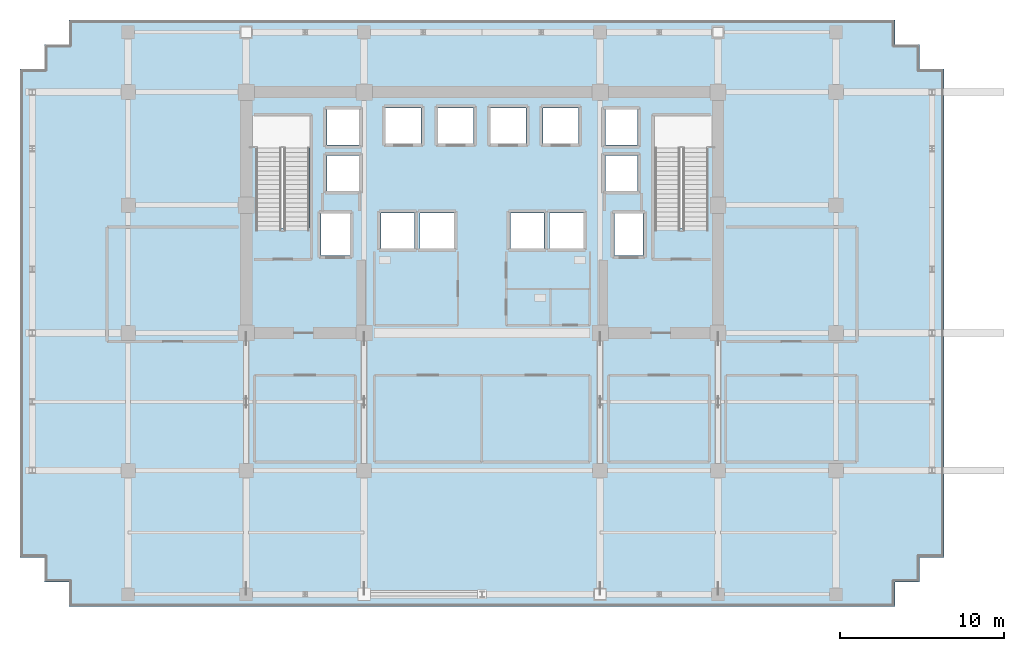
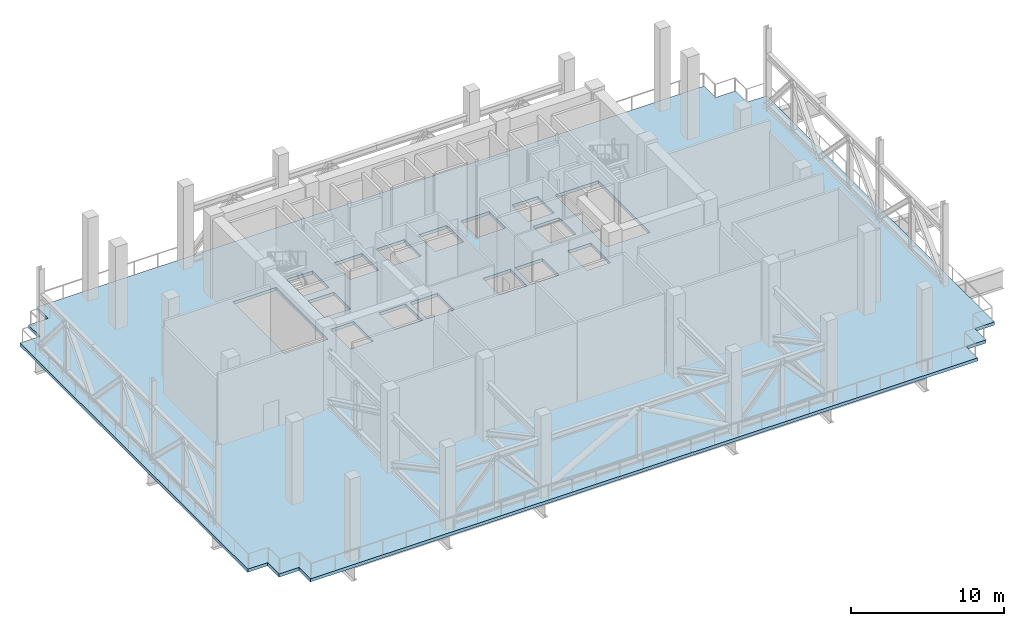
# One storey, part 6 of 15: 1 slab.
"""IFC4 building model written with IfcOpenShell, lengths in metres."""

from ifc_helpers import new_model, si_unit, direction, frame, origin, place, context, subcontext, project, spatial, polyline, outline, extrude, material, layer, layer_set, type_object, element, save


model = new_model("IFC4")

# Units and contexts
model_context = context("Model", 3, precision=1e-05, world=origin(), true_north=direction((0.0, 1.0)))
body_context = subcontext(model_context, "Body", "Model", "MODEL_VIEW")
ifc_project = project(units=[si_unit("LENGTHUNIT", "METRE"), si_unit("AREAUNIT", "SQUARE_METRE"), si_unit("VOLUMEUNIT", "CUBIC_METRE"), si_unit("PLANEANGLEUNIT", "RADIAN"), si_unit("MASSUNIT", "GRAM", prefix="KILO")], contexts=[model_context])

# Site, building, storey
site_placement = place(None, origin())
site = spatial("IfcSite", under=ifc_project, at=site_placement, CompositionType="ELEMENT")
building_placement = place(site_placement, origin())
building = spatial("IfcBuilding", under=site, at=building_placement, Name="Zarnakvel Exchange Tower", CompositionType="ELEMENT")
storey_placement = place(building_placement, frame((0.0, 0.0, 80.199951171875)))
storey = spatial("IfcBuildingStorey", under=building, at=storey_placement, Name="L22", CompositionType="ELEMENT", Elevation=80.199951171875)

# Slab
ifc_material = material(Name="Concrete C40/50", Category="concrete")
ifc_layer = layer(ifc_material, 0.25)
ifc_layer_set = layer_set([ifc_layer], Name="Concrete C40/50")
slab_type = type_object("IfcSlabType", Name="SL-03", PredefinedType="FLOOR", material=ifc_layer_set)
slab_placement = place(storey_placement, frame((0.0, 0.0, -0.25)))
element("IfcSlab", 1, at=slab_placement, inside=storey, type_object=slab_type, Name="L22 Primary Structural Floor Slab", PredefinedType="FLOOR", context=body_context, shape_type="SweptSolid", body=[
    extrude(outline(polyline([(-28.199951171875, -14.89990234375), (-26.699951171875, -14.89990234375), (-26.699951171875, -16.39990234375), (-25.199951171875, -16.39990234375), (-25.199951171875, -17.89990234375), (25.199951171875, -17.89990234375), (25.199951171875, -16.39990234375), (26.699951171875, -16.39990234375), (26.699951171875, -14.89990234375), (28.199951171875, -14.89990234375), (28.199951171875, 14.89990234375), (26.699951171875, 14.89990234375), (26.699951171875, 16.39990234375), (25.199951171875, 16.39990234375), (25.199951171875, 17.89990234375), (-25.199951171875, 17.89990234375), (-25.199951171875, 16.39990234375), (-26.699951171875, 16.39990234375), (-26.699951171875, 14.89990234375), (-28.199951171875, 14.89990234375), (-28.199951171875, -14.89990234375)]), holes=[polyline([(-13.800048828125, 5.2099609375), (-10.5400390625, 5.2099609375), (-10.5400390625, 12.0), (-13.800048828125, 12.0), (-13.800048828125, 5.2099609375)]), polyline([(10.5400390625, 5.2099609375), (13.800048828125, 5.2099609375), (13.800048828125, 12.0), (10.5400390625, 12.0), (10.5400390625, 5.2099609375)]), polyline([(-9.830078125, 3.52001953125), (-8.070068359375, 3.52001953125), (-8.070068359375, 6.080078125), (-9.830078125, 6.080078125), (-9.830078125, 3.52001953125)]), polyline([(8.070068359375, 3.52001953125), (9.830078125, 3.52001953125), (9.830078125, 6.080078125), (8.070068359375, 6.080078125), (8.070068359375, 3.52001953125)]), polyline([(-5.8798828125, 10.3701171875), (-3.719970703125, 10.3701171875), (-3.719970703125, 12.530029296875), (-5.8798828125, 12.530029296875), (-5.8798828125, 10.3701171875)]), polyline([(-2.679931640625, 10.3701171875), (-0.52001953125, 10.3701171875), (-0.52001953125, 12.530029296875), (-2.679931640625, 12.530029296875), (-2.679931640625, 10.3701171875)]), polyline([(0.52001953125, 10.3701171875), (2.679931640625, 10.3701171875), (2.679931640625, 12.530029296875), (0.52001953125, 12.530029296875), (0.52001953125, 10.3701171875)]), polyline([(3.719970703125, 10.3701171875), (5.8798828125, 10.3701171875), (5.8798828125, 12.530029296875), (3.719970703125, 12.530029296875), (3.719970703125, 10.3701171875)]), polyline([(-6.179931640625, 3.969970703125), (-4.1201171875, 3.969970703125), (-4.1201171875, 6.1298828125), (-6.179931640625, 6.1298828125), (-6.179931640625, 3.969970703125)]), polyline([(-3.780029296875, 3.969970703125), (-1.719970703125, 3.969970703125), (-1.719970703125, 6.1298828125), (-3.780029296875, 6.1298828125), (-3.780029296875, 3.969970703125)]), polyline([(1.719970703125, 3.969970703125), (3.780029296875, 3.969970703125), (3.780029296875, 6.1298828125), (1.719970703125, 6.1298828125), (1.719970703125, 3.969970703125)]), polyline([(4.1201171875, 3.969970703125), (6.179931640625, 3.969970703125), (6.179931640625, 6.1298828125), (4.1201171875, 6.1298828125), (4.1201171875, 3.969970703125)]), polyline([(-9.47998046875, 7.469970703125), (-7.52001953125, 7.469970703125), (-7.52001953125, 9.6298828125), (-9.47998046875, 9.6298828125), (-9.47998046875, 7.469970703125)]), polyline([(-9.47998046875, 10.27001953125), (-7.52001953125, 10.27001953125), (-7.52001953125, 12.429931640625), (-9.47998046875, 12.429931640625), (-9.47998046875, 10.27001953125)]), polyline([(7.52001953125, 7.469970703125), (9.47998046875, 7.469970703125), (9.47998046875, 9.6298828125), (7.52001953125, 9.6298828125), (7.52001953125, 7.469970703125)]), polyline([(7.52001953125, 10.27001953125), (9.47998046875, 10.27001953125), (9.47998046875, 12.429931640625), (7.52001953125, 12.429931640625), (7.52001953125, 10.27001953125)])]), origin(), (0.0, 0.0, 1.0), 0.25),
])

save(model, "model.ifc")
